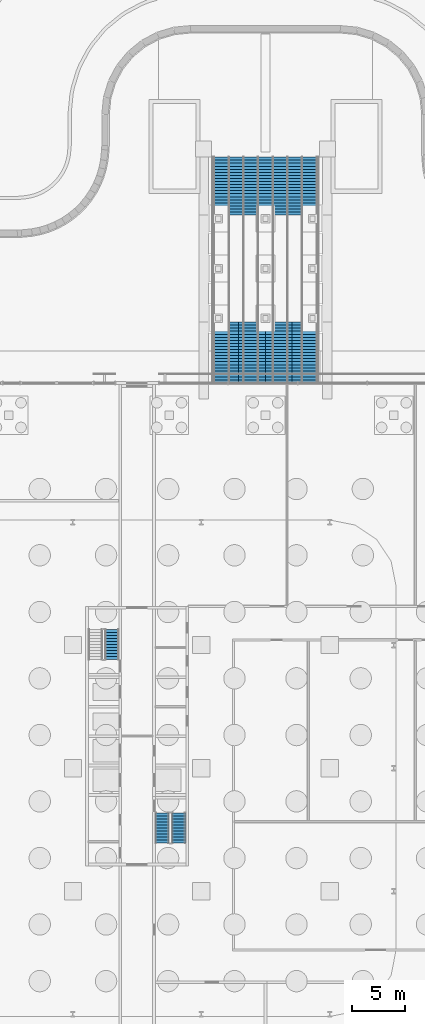
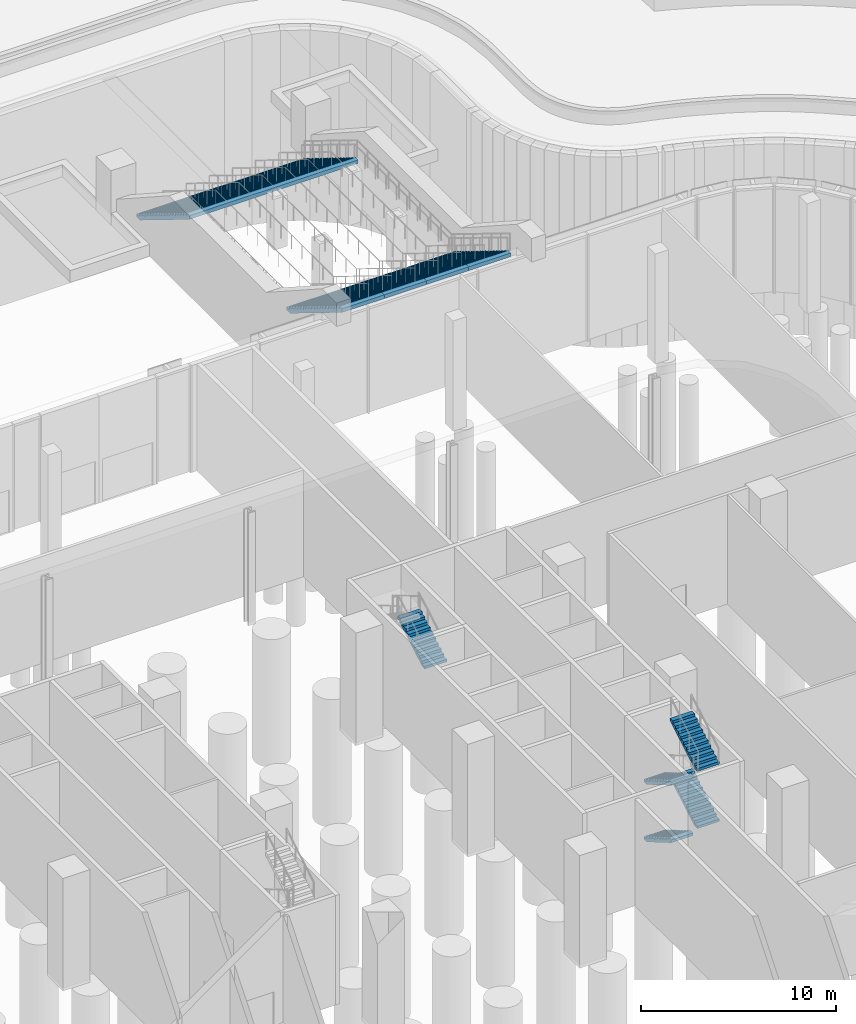
# One storey, part 32 of 48: 10 stair flights, 3 elements without a shape of their own.
"""IFC4 building model written with IfcOpenShell, lengths in metres."""

from ifc_helpers import new_model, si_unit, direction, frame, origin, place, context, subcontext, project, spatial, polyline, outline, extrude, material, type_object, element, aggregate, save


model = new_model("IFC4")

# Units and contexts
model_context = context("Model", 3, precision=1e-05, world=origin(), true_north=direction((0.0, 1.0)))
body_context = subcontext(model_context, "Body", "Model", "MODEL_VIEW")
ifc_project = project(units=[si_unit("LENGTHUNIT", "METRE"), si_unit("AREAUNIT", "SQUARE_METRE"), si_unit("VOLUMEUNIT", "CUBIC_METRE"), si_unit("PLANEANGLEUNIT", "RADIAN"), si_unit("MASSUNIT", "GRAM", prefix="KILO")], contexts=[model_context])

# Site, building, storey
site_placement = place(None, origin())
site = spatial("IfcSite", under=ifc_project, at=site_placement, CompositionType="ELEMENT")
building_placement = place(site_placement, origin())
building = spatial("IfcBuilding", under=site, at=building_placement, Name="Mahtab Terrace Research Tower", CompositionType="ELEMENT")
storey_placement = place(building_placement, origin())
storey = spatial("IfcBuildingStorey", under=building, at=storey_placement, Name="G", CompositionType="ELEMENT", Elevation=0.0)

# Stair, stair flight
ifc_material_1 = material(Name="Exit stair half-turn")
stair_type_1 = type_object("IfcStairType", Name="Exit stair half-turn", PredefinedType="HALF_TURN_STAIR", material=ifc_material_1)
stair_1_placement = place(storey_placement, origin())
stair_1 = element("IfcStair", 1, at=stair_1_placement, inside=storey, type_object=stair_type_1, Name="G Protected exit stair ST3", PredefinedType="HALF_TURN_STAIR")
ifc_material_2 = material(Name="Concrete C40/50", Category="concrete")
stair_flight_type_1 = type_object("IfcStairFlightType", Name="Exit stair flight 1300", PredefinedType="STRAIGHT", material=ifc_material_2)
stair_flight_1_placement = place(storey_placement, frame((21.64990234375, 10.175048828125, 3.60009765625), z_axis=(0.0, 0.0, 1.0), x_axis=(0.0, 1.0, 0.0)))
stair_flight_1 = element("IfcStairFlight", 2, at=stair_flight_1_placement, type_object=stair_flight_type_1, Name="ST3 flight 3", NumberOfRisers=11, NumberOfTreads=10, PredefinedType="STRAIGHT", RiserHeight=0.163636364, TreadLength=0.28, context=body_context, shape_type="SweptSolid", body=[
    extrude(outline(polyline([(0.0, 0.0), (0.0, 0.16357421875), (0.280029296875, 0.16357421875), (0.280029296875, 0.327392578125), (0.56005859375, 0.327392578125), (0.56005859375, 0.490966796875), (0.840087890625, 0.490966796875), (0.840087890625, 0.654541015625), (1.1201171875, 0.654541015625), (1.1201171875, 0.818115234375), (1.39990234375, 0.818115234375), (1.39990234375, 0.98193359375), (1.679931640625, 0.98193359375), (1.679931640625, 1.1455078125), (1.9599609375, 1.1455078125), (1.9599609375, 1.30908203125), (2.239990234375, 1.30908203125), (2.239990234375, 1.47265625), (2.52001953125, 1.47265625), (2.52001953125, 1.636474609375), (2.800048828125, 1.636474609375), (2.800048828125, 1.800048828125), (2.800048828125, 1.462646484375), (0.297119140625, 0.0), (0.0, 0.0)])), frame((0.0, 0.64990234375, 0.0), z_axis=(0.0, -1.0, 0.0), x_axis=(1.0, 0.0, 0.0)), (0.0, 0.0, 1.0), 1.300048828125),
])
aggregate(stair_1, [stair_flight_1])

# Stair, stair flights
stair_2_placement = place(storey_placement, origin())
stair_2 = element("IfcStair", 3, at=stair_2_placement, inside=storey, type_object=stair_type_1, Name="G Protected exit stair ST4", PredefinedType="HALF_TURN_STAIR")
stair_flight_2_placement = place(storey_placement, frame((26.35009765625, -4.175048828125, 0.0), z_axis=(0.0, 0.0, 1.0), x_axis=(0.0, -1.0, 0.0)))
stair_flight_2 = element("IfcStairFlight", 4, at=stair_flight_2_placement, type_object=stair_flight_type_1, Name="ST4 flight 1", NumberOfRisers=11, NumberOfTreads=10, PredefinedType="STRAIGHT", RiserHeight=0.163636364, TreadLength=0.28, context=body_context, shape_type="SweptSolid", body=[
    extrude(outline(polyline([(0.0, 0.0), (0.0, 0.16357421875), (0.280029296875, 0.16357421875), (0.280029296875, 0.327392578125), (0.56005859375, 0.327392578125), (0.56005859375, 0.490966796875), (0.840087890625, 0.490966796875), (0.840087890625, 0.654541015625), (1.1201171875, 0.654541015625), (1.1201171875, 0.818115234375), (1.39990234375, 0.818115234375), (1.39990234375, 0.98193359375), (1.679931640625, 0.98193359375), (1.679931640625, 1.1455078125), (1.9599609375, 1.1455078125), (1.9599609375, 1.30908203125), (2.239990234375, 1.30908203125), (2.239990234375, 1.47265625), (2.52001953125, 1.47265625), (2.52001953125, 1.636474609375), (2.800048828125, 1.636474609375), (2.800048828125, 1.800048828125), (2.800048828125, 1.462646484375), (0.297119140625, 0.0), (0.0, 0.0)])), frame((0.0, 0.64990234375, 0.0), z_axis=(0.0, -1.0, 0.0), x_axis=(1.0, 0.0, 0.0)), (0.0, 0.0, 1.0), 1.300048828125),
])
stair_flight_3_placement = place(storey_placement, frame((27.89990234375, -6.97509765625, 1.800048828125), z_axis=(0.0, 0.0, 1.0), x_axis=(0.0, 1.0, 0.0)))
stair_flight_3 = element("IfcStairFlight", 5, at=stair_flight_3_placement, type_object=stair_flight_type_1, Name="ST4 flight 2", NumberOfRisers=11, NumberOfTreads=10, PredefinedType="STRAIGHT", RiserHeight=0.163636364, TreadLength=0.28, context=body_context, shape_type="SweptSolid", body=[
    extrude(outline(polyline([(0.0, 0.0), (0.0, 0.16357421875), (0.280029296875, 0.16357421875), (0.280029296875, 0.327392578125), (0.56005859375, 0.327392578125), (0.56005859375, 0.490966796875), (0.840087890625, 0.490966796875), (0.840087890625, 0.654541015625), (1.1201171875, 0.654541015625), (1.1201171875, 0.818115234375), (1.39990234375, 0.818115234375), (1.39990234375, 0.98193359375), (1.679931640625, 0.98193359375), (1.679931640625, 1.1455078125), (1.9599609375, 1.1455078125), (1.9599609375, 1.30908203125), (2.239990234375, 1.30908203125), (2.239990234375, 1.47265625), (2.52001953125, 1.47265625), (2.52001953125, 1.636474609375), (2.800048828125, 1.636474609375), (2.800048828125, 1.800048828125), (2.800048828125, 1.462646484375), (0.297119140625, 0.0), (0.0, 0.0)])), frame((0.0, 0.64990234375, 0.0), z_axis=(0.0, -1.0, 0.0), x_axis=(1.0, 0.0, 0.0)), (0.0, 0.0, 1.0), 1.300048828125),
])
stair_flight_4_placement = place(storey_placement, frame((26.35009765625, -4.175048828125, 3.60009765625), z_axis=(0.0, 0.0, 1.0), x_axis=(0.0, -1.0, 0.0)))
stair_flight_4 = element("IfcStairFlight", 6, at=stair_flight_4_placement, type_object=stair_flight_type_1, Name="ST4 flight 3", NumberOfRisers=11, NumberOfTreads=10, PredefinedType="STRAIGHT", RiserHeight=0.163636364, TreadLength=0.28, context=body_context, shape_type="SweptSolid", body=[
    extrude(outline(polyline([(0.0, 0.0), (0.0, 0.16357421875), (0.280029296875, 0.16357421875), (0.280029296875, 0.327392578125), (0.56005859375, 0.327392578125), (0.56005859375, 0.490966796875), (0.840087890625, 0.490966796875), (0.840087890625, 0.654541015625), (1.1201171875, 0.654541015625), (1.1201171875, 0.818115234375), (1.39990234375, 0.818115234375), (1.39990234375, 0.98193359375), (1.679931640625, 0.98193359375), (1.679931640625, 1.1455078125), (1.9599609375, 1.1455078125), (1.9599609375, 1.30908203125), (2.239990234375, 1.30908203125), (2.239990234375, 1.47265625), (2.52001953125, 1.47265625), (2.52001953125, 1.636474609375), (2.800048828125, 1.636474609375), (2.800048828125, 1.800048828125), (2.800048828125, 1.462646484375), (0.297119140625, 0.0), (0.0, 0.0)])), frame((0.0, 0.64990234375, 0.0), z_axis=(0.0, -1.0, 0.0), x_axis=(1.0, 0.0, 0.0)), (0.0, 0.0, 1.0), 1.300048828125),
])
stair_flight_5_placement = place(storey_placement, frame((27.89990234375, -6.97509765625, 5.39990234375), z_axis=(0.0, 0.0, 1.0), x_axis=(0.0, 1.0, 0.0)))
stair_flight_5 = element("IfcStairFlight", 7, at=stair_flight_5_placement, type_object=stair_flight_type_1, Name="ST4 flight 4", NumberOfRisers=11, NumberOfTreads=10, PredefinedType="STRAIGHT", RiserHeight=0.163636364, TreadLength=0.28, context=body_context, shape_type="SweptSolid", body=[
    extrude(outline(polyline([(0.0, 0.0), (0.0, 0.16357421875), (0.280029296875, 0.16357421875), (0.280029296875, 0.327392578125), (0.56005859375, 0.327392578125), (0.56005859375, 0.490966796875), (0.840087890625, 0.490966796875), (0.840087890625, 0.654541015625), (1.1201171875, 0.654541015625), (1.1201171875, 0.818115234375), (1.39990234375, 0.818115234375), (1.39990234375, 0.98193359375), (1.679931640625, 0.98193359375), (1.679931640625, 1.1455078125), (1.9599609375, 1.1455078125), (1.9599609375, 1.30908203125), (2.239990234375, 1.30908203125), (2.239990234375, 1.47265625), (2.52001953125, 1.47265625), (2.52001953125, 1.636474609375), (2.800048828125, 1.636474609375), (2.800048828125, 1.800048828125), (2.800048828125, 1.462646484375), (0.297119140625, 0.0), (0.0, 0.0)])), frame((0.0, 0.64990234375, 0.0), z_axis=(0.0, -1.0, 0.0), x_axis=(1.0, 0.0, 0.0)), (0.0, 0.0, 1.0), 1.300048828125),
])
aggregate(stair_2, [stair_flight_2, stair_flight_3, stair_flight_4, stair_flight_5])

ifc_material_3 = material(Name="Public deck stair")
stair_type_2 = type_object("IfcStairType", Name="Public deck stair", PredefinedType="STRAIGHT_RUN_STAIR", material=ifc_material_3)
stair_3_placement = place(storey_placement, origin())
stair_3 = element("IfcStair", 8, at=stair_3_placement, inside=storey, type_object=stair_type_2, Name="Public deck stair PS2", PredefinedType="STRAIGHT_RUN_STAIR")
stair_flight_type_2 = type_object("IfcStairFlightType", Name="Public deck stair flight 6000", PredefinedType="STRAIGHT", material=ifc_material_2)
stair_flight_6_placement = place(storey_placement, frame((36.0, 57.114990234375, 0.0), z_axis=(0.0, 0.0, 1.0), x_axis=(0.0, -1.0, 0.0)))
stair_flight_6 = element("IfcStairFlight", 9, at=stair_flight_6_placement, type_object=stair_flight_type_2, Name="PS2 flight 1", NumberOfRisers=20, NumberOfTreads=19, PredefinedType="STRAIGHT", RiserHeight=0.175609756, TreadLength=0.285, context=body_context, shape_type="SweptSolid", body=[
    extrude(outline(polyline([(0.0, 0.0), (0.0, 0.175537109375), (0.284912109375, 0.175537109375), (0.284912109375, 0.351318359375), (0.570068359375, 0.351318359375), (0.570068359375, 0.52685546875), (0.85498046875, 0.52685546875), (0.85498046875, 0.702392578125), (1.139892578125, 0.702392578125), (1.139892578125, 0.8779296875), (1.425048828125, 0.8779296875), (1.425048828125, 1.0537109375), (1.7099609375, 1.0537109375), (1.7099609375, 1.229248046875), (1.9951171875, 1.229248046875), (1.9951171875, 1.40478515625), (2.280029296875, 1.40478515625), (2.280029296875, 1.58056640625), (2.56494140625, 1.58056640625), (2.56494140625, 1.756103515625), (2.85009765625, 1.756103515625), (2.85009765625, 1.931640625), (3.135009765625, 1.931640625), (3.135009765625, 2.107421875), (3.419921875, 2.107421875), (3.419921875, 2.282958984375), (3.705078125, 2.282958984375), (3.705078125, 2.45849609375), (3.989990234375, 2.45849609375), (3.989990234375, 2.634033203125), (4.27490234375, 2.634033203125), (4.27490234375, 2.809814453125), (4.56005859375, 2.809814453125), (4.56005859375, 2.9853515625), (4.844970703125, 2.9853515625), (4.844970703125, 3.160888671875), (5.1298828125, 3.160888671875), (5.1298828125, 3.336669921875), (5.4150390625, 3.336669921875), (5.4150390625, 3.51220703125), (5.4150390625, 3.101806640625), (0.381103515625, 0.0), (0.0, 0.0)])), frame((0.0, 5.0, 0.0), z_axis=(0.0, -1.0, 0.0), x_axis=(1.0, 0.0, 0.0)), (0.0, 0.0, 1.0), 10.0),
])
stair_flight_7_placement = place(storey_placement, frame((32.25, 41.699951171875, 3.51220703125), z_axis=(0.0, 0.0, 1.0), x_axis=(0.0, -1.0, 0.0)))
stair_flight_7 = element("IfcStairFlight", 10, at=stair_flight_7_placement, type_object=stair_flight_type_2, Name="PS2 flight 2 strand 1", NumberOfRisers=21, NumberOfTreads=20, PredefinedType="STRAIGHT", RiserHeight=0.175609756, TreadLength=0.285, context=body_context, shape_type="SweptSolid", body=[
    extrude(outline(polyline([(0.0, 0.0), (0.0, 0.175537109375), (0.284912109375, 0.175537109375), (0.284912109375, 0.351318359375), (0.570068359375, 0.351318359375), (0.570068359375, 0.52685546875), (0.85498046875, 0.52685546875), (0.85498046875, 0.702392578125), (1.139892578125, 0.702392578125), (1.139892578125, 0.8779296875), (1.425048828125, 0.8779296875), (1.425048828125, 1.0537109375), (1.7099609375, 1.0537109375), (1.7099609375, 1.229248046875), (1.9951171875, 1.229248046875), (1.9951171875, 1.40478515625), (2.280029296875, 1.40478515625), (2.280029296875, 1.58056640625), (2.56494140625, 1.58056640625), (2.56494140625, 1.756103515625), (2.85009765625, 1.756103515625), (2.85009765625, 1.931640625), (3.135009765625, 1.931640625), (3.135009765625, 2.107421875), (3.419921875, 2.107421875), (3.419921875, 2.282958984375), (3.705078125, 2.282958984375), (3.705078125, 2.45849609375), (3.989990234375, 2.45849609375), (3.989990234375, 2.634033203125), (4.27490234375, 2.634033203125), (4.27490234375, 2.809814453125), (4.56005859375, 2.809814453125), (4.56005859375, 2.9853515625), (4.844970703125, 2.9853515625), (4.844970703125, 3.160888671875), (5.1298828125, 3.160888671875), (5.1298828125, 3.336669921875), (5.4150390625, 3.336669921875), (5.4150390625, 3.51220703125), (5.699951171875, 3.51220703125), (5.699951171875, 3.687744140625), (5.699951171875, 3.27734375), (0.381103515625, 0.0), (0.0, 0.0)])), frame((0.0, 1.25, 0.0), z_axis=(0.0, -1.0, 0.0), x_axis=(1.0, 0.0, 0.0)), (0.0, 0.0, 1.0), 2.5),
])
stair_flight_8_placement = place(storey_placement, frame((34.75, 41.699951171875, 3.51220703125), z_axis=(0.0, 0.0, 1.0), x_axis=(0.0, -1.0, 0.0)))
stair_flight_8 = element("IfcStairFlight", 11, at=stair_flight_8_placement, type_object=stair_flight_type_2, Name="PS2 flight 2 strand 2", NumberOfRisers=21, NumberOfTreads=20, PredefinedType="STRAIGHT", RiserHeight=0.175609756, TreadLength=0.285, context=body_context, shape_type="SweptSolid", body=[
    extrude(outline(polyline([(0.0, 0.0), (0.0, 0.175537109375), (0.284912109375, 0.175537109375), (0.284912109375, 0.351318359375), (0.570068359375, 0.351318359375), (0.570068359375, 0.52685546875), (0.85498046875, 0.52685546875), (0.85498046875, 0.702392578125), (1.139892578125, 0.702392578125), (1.139892578125, 0.8779296875), (1.425048828125, 0.8779296875), (1.425048828125, 1.0537109375), (1.7099609375, 1.0537109375), (1.7099609375, 1.229248046875), (1.9951171875, 1.229248046875), (1.9951171875, 1.40478515625), (2.280029296875, 1.40478515625), (2.280029296875, 1.58056640625), (2.56494140625, 1.58056640625), (2.56494140625, 1.756103515625), (2.85009765625, 1.756103515625), (2.85009765625, 1.931640625), (3.135009765625, 1.931640625), (3.135009765625, 2.107421875), (3.419921875, 2.107421875), (3.419921875, 2.282958984375), (3.705078125, 2.282958984375), (3.705078125, 2.45849609375), (3.989990234375, 2.45849609375), (3.989990234375, 2.634033203125), (4.27490234375, 2.634033203125), (4.27490234375, 2.809814453125), (4.56005859375, 2.809814453125), (4.56005859375, 2.9853515625), (4.844970703125, 2.9853515625), (4.844970703125, 3.160888671875), (5.1298828125, 3.160888671875), (5.1298828125, 3.336669921875), (5.4150390625, 3.336669921875), (5.4150390625, 3.51220703125), (5.699951171875, 3.51220703125), (5.699951171875, 3.687744140625), (5.699951171875, 3.27734375), (0.381103515625, 0.0), (0.0, 0.0)])), frame((0.0, 1.25, 0.0), z_axis=(0.0, -1.0, 0.0), x_axis=(1.0, 0.0, 0.0)), (0.0, 0.0, 1.0), 2.5),
])
stair_flight_9_placement = place(storey_placement, frame((37.25, 41.699951171875, 3.51220703125), z_axis=(0.0, 0.0, 1.0), x_axis=(0.0, -1.0, 0.0)))
stair_flight_9 = element("IfcStairFlight", 12, at=stair_flight_9_placement, type_object=stair_flight_type_2, Name="PS2 flight 2 strand 3", NumberOfRisers=21, NumberOfTreads=20, PredefinedType="STRAIGHT", RiserHeight=0.175609756, TreadLength=0.285, context=body_context, shape_type="SweptSolid", body=[
    extrude(outline(polyline([(0.0, 0.0), (0.0, 0.175537109375), (0.284912109375, 0.175537109375), (0.284912109375, 0.351318359375), (0.570068359375, 0.351318359375), (0.570068359375, 0.52685546875), (0.85498046875, 0.52685546875), (0.85498046875, 0.702392578125), (1.139892578125, 0.702392578125), (1.139892578125, 0.8779296875), (1.425048828125, 0.8779296875), (1.425048828125, 1.0537109375), (1.7099609375, 1.0537109375), (1.7099609375, 1.229248046875), (1.9951171875, 1.229248046875), (1.9951171875, 1.40478515625), (2.280029296875, 1.40478515625), (2.280029296875, 1.58056640625), (2.56494140625, 1.58056640625), (2.56494140625, 1.756103515625), (2.85009765625, 1.756103515625), (2.85009765625, 1.931640625), (3.135009765625, 1.931640625), (3.135009765625, 2.107421875), (3.419921875, 2.107421875), (3.419921875, 2.282958984375), (3.705078125, 2.282958984375), (3.705078125, 2.45849609375), (3.989990234375, 2.45849609375), (3.989990234375, 2.634033203125), (4.27490234375, 2.634033203125), (4.27490234375, 2.809814453125), (4.56005859375, 2.809814453125), (4.56005859375, 2.9853515625), (4.844970703125, 2.9853515625), (4.844970703125, 3.160888671875), (5.1298828125, 3.160888671875), (5.1298828125, 3.336669921875), (5.4150390625, 3.336669921875), (5.4150390625, 3.51220703125), (5.699951171875, 3.51220703125), (5.699951171875, 3.687744140625), (5.699951171875, 3.27734375), (0.381103515625, 0.0), (0.0, 0.0)])), frame((0.0, 1.25, 0.0), z_axis=(0.0, -1.0, 0.0), x_axis=(1.0, 0.0, 0.0)), (0.0, 0.0, 1.0), 2.5),
])
stair_flight_10_placement = place(storey_placement, frame((39.75, 41.699951171875, 3.51220703125), z_axis=(0.0, 0.0, 1.0), x_axis=(0.0, -1.0, 0.0)))
stair_flight_10 = element("IfcStairFlight", 13, at=stair_flight_10_placement, type_object=stair_flight_type_2, Name="PS2 flight 2 strand 4", NumberOfRisers=21, NumberOfTreads=20, PredefinedType="STRAIGHT", RiserHeight=0.175609756, TreadLength=0.285, context=body_context, shape_type="SweptSolid", body=[
    extrude(outline(polyline([(0.0, 0.0), (0.0, 0.175537109375), (0.284912109375, 0.175537109375), (0.284912109375, 0.351318359375), (0.570068359375, 0.351318359375), (0.570068359375, 0.52685546875), (0.85498046875, 0.52685546875), (0.85498046875, 0.702392578125), (1.139892578125, 0.702392578125), (1.139892578125, 0.8779296875), (1.425048828125, 0.8779296875), (1.425048828125, 1.0537109375), (1.7099609375, 1.0537109375), (1.7099609375, 1.229248046875), (1.9951171875, 1.229248046875), (1.9951171875, 1.40478515625), (2.280029296875, 1.40478515625), (2.280029296875, 1.58056640625), (2.56494140625, 1.58056640625), (2.56494140625, 1.756103515625), (2.85009765625, 1.756103515625), (2.85009765625, 1.931640625), (3.135009765625, 1.931640625), (3.135009765625, 2.107421875), (3.419921875, 2.107421875), (3.419921875, 2.282958984375), (3.705078125, 2.282958984375), (3.705078125, 2.45849609375), (3.989990234375, 2.45849609375), (3.989990234375, 2.634033203125), (4.27490234375, 2.634033203125), (4.27490234375, 2.809814453125), (4.56005859375, 2.809814453125), (4.56005859375, 2.9853515625), (4.844970703125, 2.9853515625), (4.844970703125, 3.160888671875), (5.1298828125, 3.160888671875), (5.1298828125, 3.336669921875), (5.4150390625, 3.336669921875), (5.4150390625, 3.51220703125), (5.699951171875, 3.51220703125), (5.699951171875, 3.687744140625), (5.699951171875, 3.27734375), (0.381103515625, 0.0), (0.0, 0.0)])), frame((0.0, 1.25, 0.0), z_axis=(0.0, -1.0, 0.0), x_axis=(1.0, 0.0, 0.0)), (0.0, 0.0, 1.0), 2.5),
])
aggregate(stair_3, [stair_flight_6, stair_flight_7, stair_flight_8, stair_flight_9, stair_flight_10])

save(model, "model.ifc")
